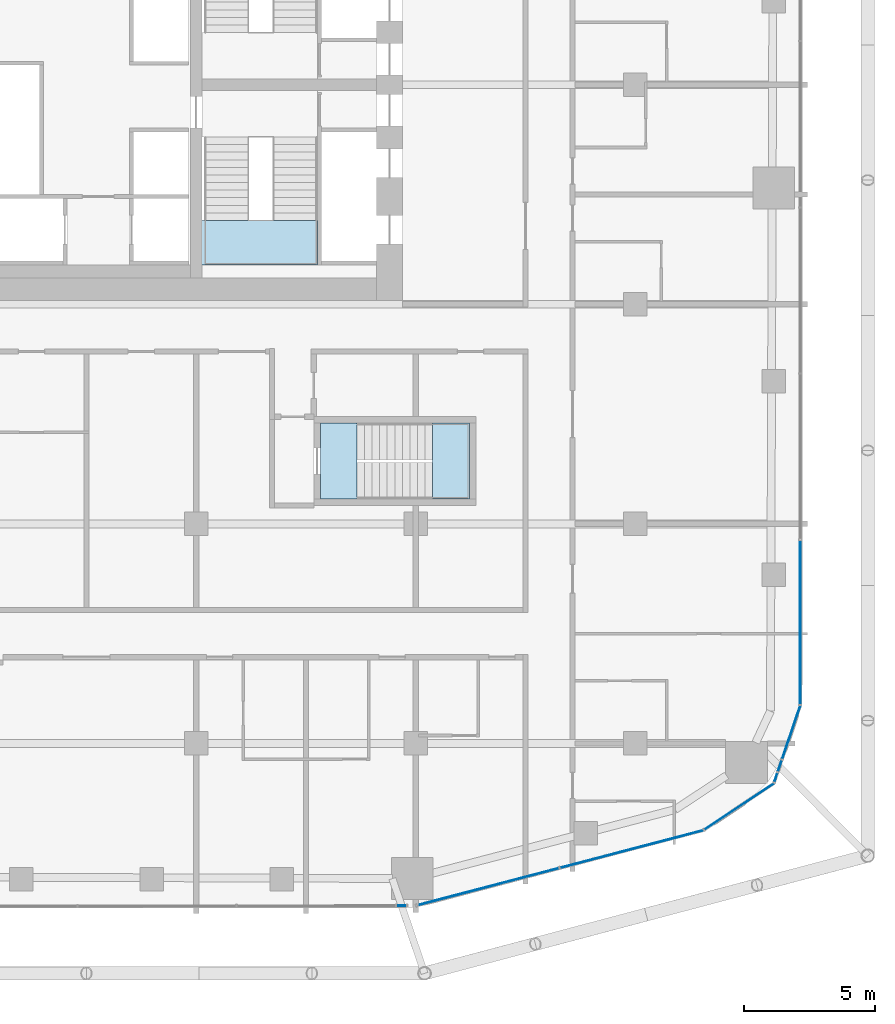
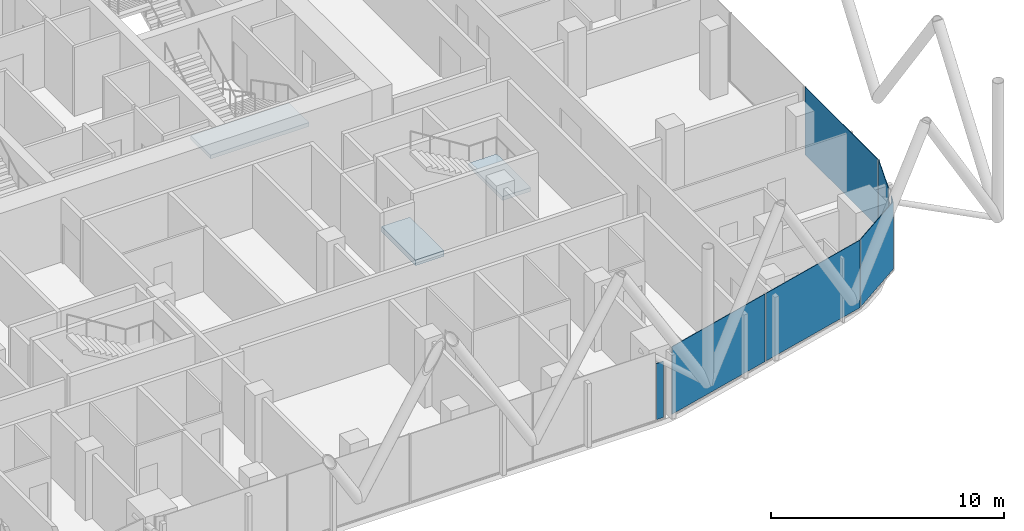
# One storey, part 20 of 33: 8 plates, 3 slabs, 9 elements without a shape of their own.
"""IFC4 building model written with IfcOpenShell, lengths in metres."""

from ifc_helpers import new_model, si_unit, direction, frame, origin, origin_2d, place, context, subcontext, project, spatial, polyline, rectangle, outline, extrude, material, layer, layer_set, type_object, element, aggregate, save


model = new_model("IFC4")

# Units and contexts
model_context = context("Model", 3, precision=1e-05, world=origin(), true_north=direction((0.0, 1.0)))
body_context = subcontext(model_context, "Body", "Model", "MODEL_VIEW")
ifc_project = project(units=[si_unit("LENGTHUNIT", "METRE"), si_unit("AREAUNIT", "SQUARE_METRE"), si_unit("VOLUMEUNIT", "CUBIC_METRE"), si_unit("PLANEANGLEUNIT", "RADIAN"), si_unit("MASSUNIT", "GRAM", prefix="KILO")], contexts=[model_context])

# Site, building, storey
site_placement = place(None, origin())
site = spatial("IfcSite", under=ifc_project, at=site_placement, CompositionType="ELEMENT")
building_placement = place(site_placement, origin())
building = spatial("IfcBuilding", under=site, at=building_placement, Name="Marenta Gate Hotel Tower", CompositionType="ELEMENT")
storey_placement = place(building_placement, frame((0.0, 0.0, 122.89990234375)))
storey = spatial("IfcBuildingStorey", under=building, at=storey_placement, Name="L27", CompositionType="ELEMENT", Elevation=122.89990234375)

# Stair, slab
ifc_material_1 = material(Name="Concrete C40", Category="concrete")
stair_type_1 = type_object("IfcStairType", Name="Core exit stair 1700 wide", PredefinedType="HALF_TURN_STAIR", material=ifc_material_1)
stair_1_placement = place(storey_placement, origin())
stair_1 = element("IfcStair", 1, at=stair_1_placement, inside=storey, type_object=stair_type_1, Name="Exit stair 3", PredefinedType="HALF_TURN_STAIR")
ifc_material_2 = material(Name="Concrete C40", Category="concrete")
ifc_layer_1 = layer(ifc_material_2, 0.199951171875)
ifc_layer_set_1 = layer_set([ifc_layer_1], Name="Concrete C40")
slab_type_1 = type_object("IfcSlabType", Name="Core stair landing 200", PredefinedType="LANDING", material=ifc_layer_set_1)
slab_1_placement = place(storey_placement, frame((0.0, 0.0, 1.60009765625)))
slab_1 = element("IfcSlab", 2, at=slab_1_placement, type_object=slab_type_1, Name="SL-200 ST3 landing 1", PredefinedType="LANDING", context=body_context, shape_type="SweptSolid", body=[
    extrude(outline(polyline([(3.97509765625, 1.5), (8.85009765625, 1.5), (8.85009765625, 3.2099609375), (3.97509765625, 3.2099609375), (3.97509765625, 1.5)])), origin(), (0.0, 0.0, 1.0), 0.199951171875),
])
aggregate(stair_1, [slab_1])

# Curtain wall, plate
ifc_material_3 = material(Name="Tinted insulated glass in bronze anodised frame", Category="glass")
ifc_layer_2 = layer(ifc_material_3, 0.1201171875)
ifc_layer_set_2 = layer_set([ifc_layer_2], Name="Tinted insulated glass in bronze anodised frame")
curtain_wall_type = type_object("IfcCurtainWallType", Name="Tower unitised curtain wall CW1", PredefinedType="NOTDEFINED", material=ifc_layer_set_2)
curtain_wall_1_placement = place(storey_placement, origin())
curtain_wall_1 = element("IfcCurtainWall", 3, at=curtain_wall_1_placement, inside=storey, type_object=curtain_wall_type, Name="CW1 run G13", PredefinedType="NOTDEFINED")
ifc_material_4 = material(Name="Tinted insulated glass", Category="glass")
ifc_layer_3 = layer(ifc_material_4, 0.028076171875)
ifc_layer_set_3 = layer_set([ifc_layer_3], Name="Tinted insulated glass")
plate_type = type_object("IfcPlateType", Name="Glass panel CW1 28 mm tinted insulated unit", PredefinedType="CURTAIN_PANEL", material=ifc_layer_set_3)
plate_1_placement = place(storey_placement, frame((12.060791015625, -23.013916015625, 0.060302734375), z_axis=(0.0, 0.0, 1.0), x_axis=(0.999999212858, 0.001254704164, 0.0)))
plate_1 = element("IfcPlate", 4, at=plate_1_placement, type_object=plate_type, Name="CW1 panel 1.1", PredefinedType="CURTAIN_PANEL", context=body_context, shape_type="SweptSolid", body=[
    extrude(rectangle(XDim=0.358154296875, YDim=0.028076171875, at=origin_2d()), origin(), (0.0, 0.0, 1.0), 2.9404296875),
])
aggregate(curtain_wall_1, [plate_1])

# Curtain wall, plates
curtain_wall_2_placement = place(storey_placement, origin())
curtain_wall_2 = element("IfcCurtainWall", 5, at=curtain_wall_2_placement, inside=storey, type_object=curtain_wall_type, Name="CW1 run G14", PredefinedType="NOTDEFINED")
plate_2_placement = place(storey_placement, frame((15.36474609375, -22.28857421875, 0.06005859375), z_axis=(0.0, 0.0, 1.0), x_axis=(0.967368326473, 0.253374270473, 0.0)))
plate_2 = element("IfcPlate", 6, at=plate_2_placement, type_object=plate_type, Name="CW1 panel 1.1", PredefinedType="CURTAIN_PANEL", context=body_context, shape_type="SweptSolid", body=[
    extrude(rectangle(XDim=5.6005859375, YDim=0.028076171875, at=origin_2d()), origin(), (0.0, 0.0, 1.0), 3.5400390625),
])
plate_3_placement = place(storey_placement, frame((20.86962890625, -20.8466796875, 0.06005859375), z_axis=(0.0, 0.0, 1.0), x_axis=(0.967368326473, 0.253374270473, 0.0)))
plate_3 = element("IfcPlate", 7, at=plate_3_placement, type_object=plate_type, Name="CW1 panel 2.1", PredefinedType="CURTAIN_PANEL", context=body_context, shape_type="SweptSolid", body=[
    extrude(rectangle(XDim=5.66064453125, YDim=0.028076171875, at=origin_2d()), origin(), (0.0, 0.0, 1.0), 3.5400390625),
])
aggregate(curtain_wall_2, [plate_2, plate_3])

# Curtain wall, plate
curtain_wall_3_placement = place(storey_placement, origin())
curtain_wall_3 = element("IfcCurtainWall", 8, at=curtain_wall_3_placement, inside=storey, type_object=curtain_wall_type, Name="CW1 run G15", PredefinedType="NOTDEFINED")
plate_4_placement = place(storey_placement, frame((24.981201171875, -19.215576171875, 0.06005859375), z_axis=(0.0, 0.0, 1.0), x_axis=(0.832505857051, 0.554016243423, 0.0)))
plate_4 = element("IfcPlate", 9, at=plate_4_placement, type_object=plate_type, Name="CW1 panel 1.1", PredefinedType="CURTAIN_PANEL", context=body_context, shape_type="SweptSolid", body=[
    extrude(rectangle(XDim=3.179931640625, YDim=0.028076171875, at=origin_2d()), origin(), (0.0, 0.0, 1.0), 3.5400390625),
])
aggregate(curtain_wall_3, [plate_4])

curtain_wall_4_placement = place(storey_placement, origin())
curtain_wall_4 = element("IfcCurtainWall", 10, at=curtain_wall_4_placement, inside=storey, type_object=curtain_wall_type, Name="CW1 run G16", PredefinedType="NOTDEFINED")
plate_5_placement = place(storey_placement, frame((26.383544921875, -18.103515625, 0.06005859375), z_axis=(0.0, 0.0, 1.0), x_axis=(0.322036701561, 0.946727185016, 0.0)))
plate_5 = element("IfcPlate", 11, at=plate_5_placement, type_object=plate_type, Name="CW1 panel 1.1", PredefinedType="CURTAIN_PANEL", context=body_context, shape_type="SweptSolid", body=[
    extrude(rectangle(XDim=0.3681640625, YDim=0.028076171875, at=origin_2d()), origin(), (0.0, 0.0, 1.0), 3.5400390625),
])
aggregate(curtain_wall_4, [plate_5])

curtain_wall_5_placement = place(storey_placement, origin())
curtain_wall_5 = element("IfcCurtainWall", 12, at=curtain_wall_5_placement, inside=storey, type_object=curtain_wall_type, Name="CW1 run G17", PredefinedType="NOTDEFINED")
plate_6_placement = place(storey_placement, frame((26.533935546875, -17.6611328125, 0.060302734375), z_axis=(0.0, 0.0, 1.0), x_axis=(0.322030237029, 0.946729383953, 0.0)))
plate_6 = element("IfcPlate", 13, at=plate_6_placement, type_object=plate_type, Name="CW1 panel 1.1", PredefinedType="CURTAIN_PANEL", context=body_context, shape_type="SweptSolid", body=[
    extrude(rectangle(XDim=0.4462890625, YDim=0.028076171875, at=origin_2d()), origin(), (0.0, 0.0, 1.0), 2.9404296875),
])
aggregate(curtain_wall_5, [plate_6])

curtain_wall_6_placement = place(storey_placement, origin())
curtain_wall_6 = element("IfcCurtainWall", 14, at=curtain_wall_6_placement, inside=storey, type_object=curtain_wall_type, Name="CW1 run G18", PredefinedType="NOTDEFINED")
plate_7_placement = place(storey_placement, frame((26.969482421875, -16.380615234375, 0.06005859375), z_axis=(0.0, 0.0, 1.0), x_axis=(0.322033162785, 0.946728388751, 0.0)))
plate_7 = element("IfcPlate", 15, at=plate_7_placement, type_object=plate_type, Name="CW1 panel 1.1", PredefinedType="CURTAIN_PANEL", context=body_context, shape_type="SweptSolid", body=[
    extrude(rectangle(XDim=2.13916015625, YDim=0.028076171875, at=origin_2d()), origin(), (0.0, 0.0, 1.0), 3.5400390625),
])
aggregate(curtain_wall_6, [plate_7])

curtain_wall_7_placement = place(storey_placement, origin())
curtain_wall_7 = element("IfcCurtainWall", 16, at=curtain_wall_7_placement, inside=storey, type_object=curtain_wall_type, Name="CW1 run G19", PredefinedType="NOTDEFINED")
plate_8_placement = place(storey_placement, frame((27.31396484375, -12.173095703125, 0.06005859375), z_axis=(0.0, 0.0, 1.0), x_axis=(0.0, 1.0, 0.0)))
plate_8 = element("IfcPlate", 17, at=plate_8_placement, type_object=plate_type, Name="CW1 panel 1.1", PredefinedType="CURTAIN_PANEL", context=body_context, shape_type="SweptSolid", body=[
    extrude(rectangle(XDim=6.27001953125, YDim=0.028076171875, at=origin_2d()), origin(), (0.0, 0.0, 1.0), 3.5400390625),
])
aggregate(curtain_wall_7, [plate_8])

# Stair, slab
ifc_material_5 = material(Name="Concrete C40", Category="concrete")
stair_type_2 = type_object("IfcStairType", Name="Remote exit stair 1400 wide", PredefinedType="HALF_TURN_STAIR", material=ifc_material_5)
stair_2_placement = place(storey_placement, origin())
stair_2 = element("IfcStair", 18, at=stair_2_placement, inside=storey, type_object=stair_type_2, Name="Exit stair RS-Z2-2", PredefinedType="HALF_TURN_STAIR")
ifc_material_6 = material(Name="Concrete C40", Category="concrete")
ifc_layer_4 = layer(ifc_material_6, 0.199951171875)
ifc_layer_set_4 = layer_set([ifc_layer_4], Name="Concrete C40")
slab_type_2 = type_object("IfcSlabType", Name="Remote stair landing 200", PredefinedType="LANDING", material=ifc_layer_set_4)
slab_2_placement = place(storey_placement, frame((0.0, 0.0, 1.60009765625)))
slab_2 = element("IfcSlab", 19, at=slab_2_placement, type_object=slab_type_2, Name="RL-200 RS-Z2-2 landing 1", PredefinedType="LANDING", context=body_context, shape_type="SweptSolid", body=[
    extrude(outline(polyline([(13.25, -7.449951171875), (14.64990234375, -7.449951171875), (14.64990234375, -4.550048828125), (13.25, -4.550048828125), (13.25, -7.449951171875)])), origin(), (0.0, 0.0, 1.0), 0.199951171875),
])
aggregate(stair_2, [slab_2])

# Slab
ifc_material_7 = material(Name="Concrete C40", Category="concrete")
ifc_layer_5 = layer(ifc_material_7, 0.300048828125)
ifc_layer_set_5 = layer_set([ifc_layer_5], Name="Concrete C40")
slab_type_3 = type_object("IfcSlabType", Name="Stair floor landing slab 300", PredefinedType="FLOOR", material=ifc_layer_set_5)
slab_3_placement = place(storey_placement, frame((0.0, 0.0, -0.2998046875)))
element("IfcSlab", 20, at=slab_3_placement, inside=storey, type_object=slab_type_3, Name="L27-RS-Z2-2-CL", PredefinedType="FLOOR", context=body_context, shape_type="SweptSolid", body=[
    extrude(outline(polyline([(10.35009765625, -7.449951171875), (10.35009765625, -4.550048828125), (8.949951171875, -4.550048828125), (8.949951171875, -7.449951171875), (10.35009765625, -7.449951171875)])), origin(), (0.0, 0.0, 1.0), 0.2998046875),
])

save(model, "model.ifc")
